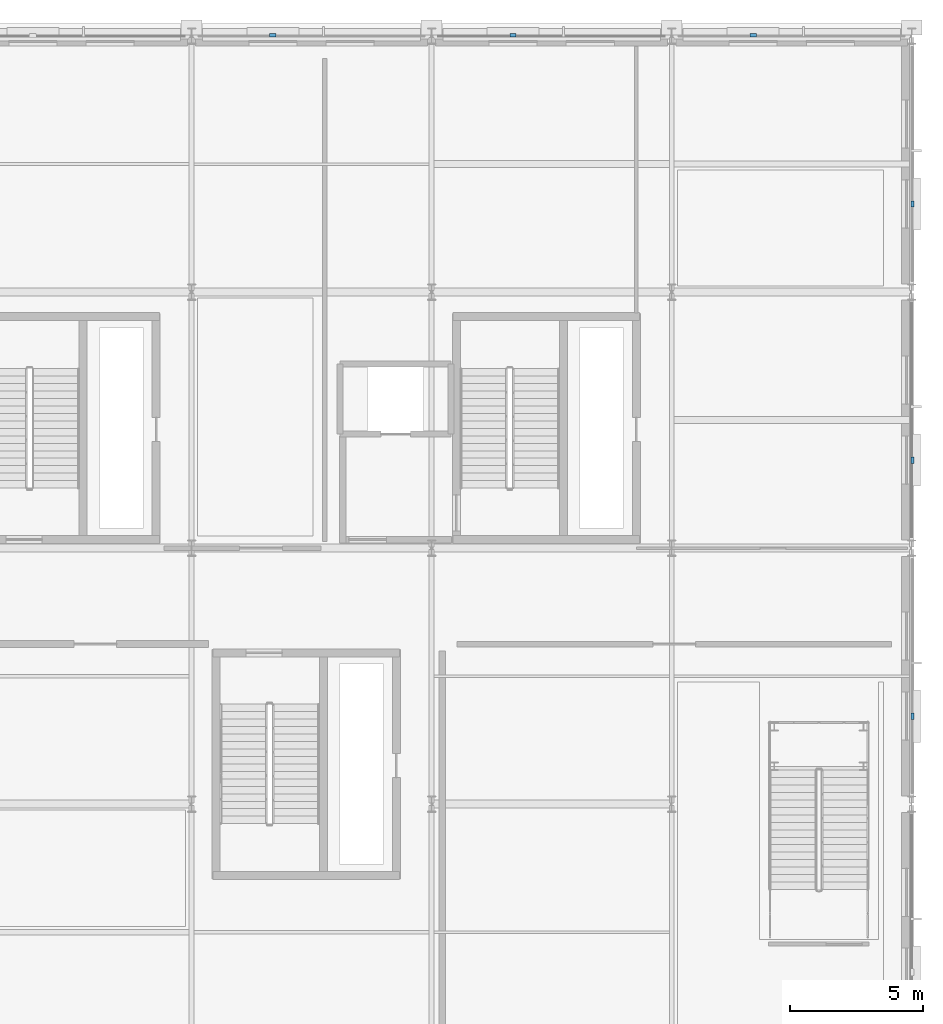
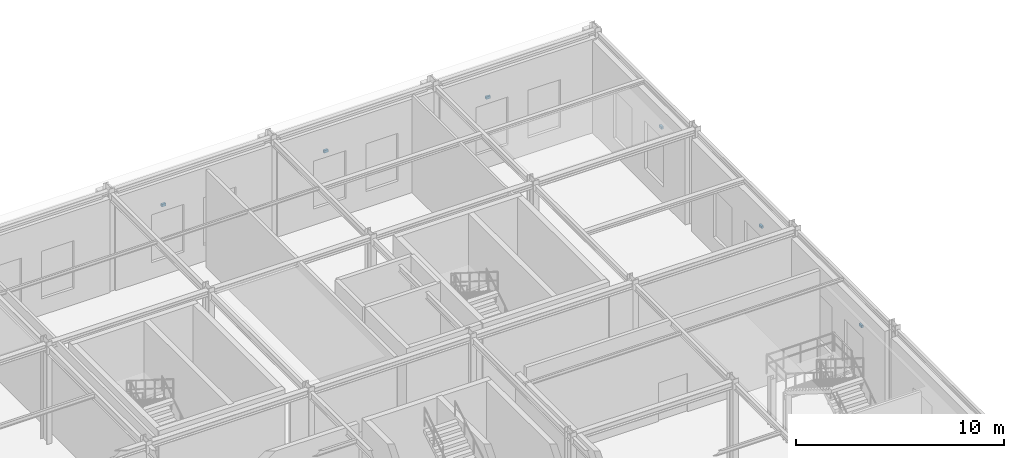
# One storey, part 78 of 113: 6 discrete accessories.
"""IFC4 building model written with IfcOpenShell, lengths in metres."""

from ifc_helpers import new_model, si_unit, direction, frame, origin, origin_2d, place, context, subcontext, project, spatial, rectangle, extrude, material, type_object, element, save


model = new_model("IFC4")

# Units and contexts
model_context = context("Model", 3, precision=1e-05, world=origin(), true_north=direction((0.0, 1.0)))
body_context = subcontext(model_context, "Body", "Model", "MODEL_VIEW")
ifc_project = project(units=[si_unit("LENGTHUNIT", "METRE"), si_unit("AREAUNIT", "SQUARE_METRE"), si_unit("VOLUMEUNIT", "CUBIC_METRE"), si_unit("PLANEANGLEUNIT", "RADIAN"), si_unit("MASSUNIT", "GRAM", prefix="KILO")], contexts=[model_context])

# Site, building, storey
site_placement = place(None, origin())
site = spatial("IfcSite", under=ifc_project, at=site_placement, CompositionType="ELEMENT")
building_placement = place(site_placement, origin())
building = spatial("IfcBuilding", under=site, at=building_placement, Name="Myrtia Square Station", CompositionType="ELEMENT")
storey_placement = place(building_placement, origin())
storey = spatial("IfcBuildingStorey", under=building, at=storey_placement, Name="L00", CompositionType="ELEMENT", Elevation=0.0)

# Discrete accessories
ifc_material = material(Name="Steel S355", Category="steel")
discrete_accessory_type = type_object("IfcDiscreteAccessoryType", Name="ACC-BRACKET-BRONZE", PredefinedType="BRACKET", material=ifc_material)
for number, where, z_axis, x_axis, name in (
    (1, (165.052001953125, 124.830078125, 3.72998046875), (0.0, 0.0, 1.0), (1.0, 0.0, 0.0), "Solar shading fixing bracket 036"),
    (2, (174.052001953125, 124.830078125, 3.72998046875), (0.0, 0.0, 1.0), (1.0, 0.0, 0.0), "Solar shading fixing bracket 037"),
    (3, (183.052001953125, 124.830078125, 3.72998046875), (0.0, 0.0, 1.0), (1.0, 0.0, 0.0), "Solar shading fixing bracket 038"),
    (4, (189.030029296875, 99.302001953125, 3.72998046875), (0.0, 0.0, 1.0), (0.0, 1.0, 0.0), "Solar shading fixing bracket 040"),
    (5, (189.030029296875, 108.902099609375, 3.72998046875), (0.0, 0.0, 1.0), (0.0, 1.0, 0.0), "Solar shading fixing bracket 041"),
    (6, (189.030029296875, 118.501953125, 3.72998046875), (0.0, 0.0, 1.0), (0.0, 1.0, 0.0), "Solar shading fixing bracket 042"),
):
    element("IfcDiscreteAccessory", number, at=place(storey_placement, frame(where, z_axis=z_axis, x_axis=x_axis)), inside=storey, type_object=discrete_accessory_type, Name=name, PredefinedType="BRACKET", context=body_context, shape_type="SweptSolid", body=[
        extrude(rectangle(XDim=0.239990234375, YDim=0.1201171875, at=origin_2d()), origin(), (0.0, 0.0, 1.0), 0.139892578125),
    ])

save(model, "model.ifc")
